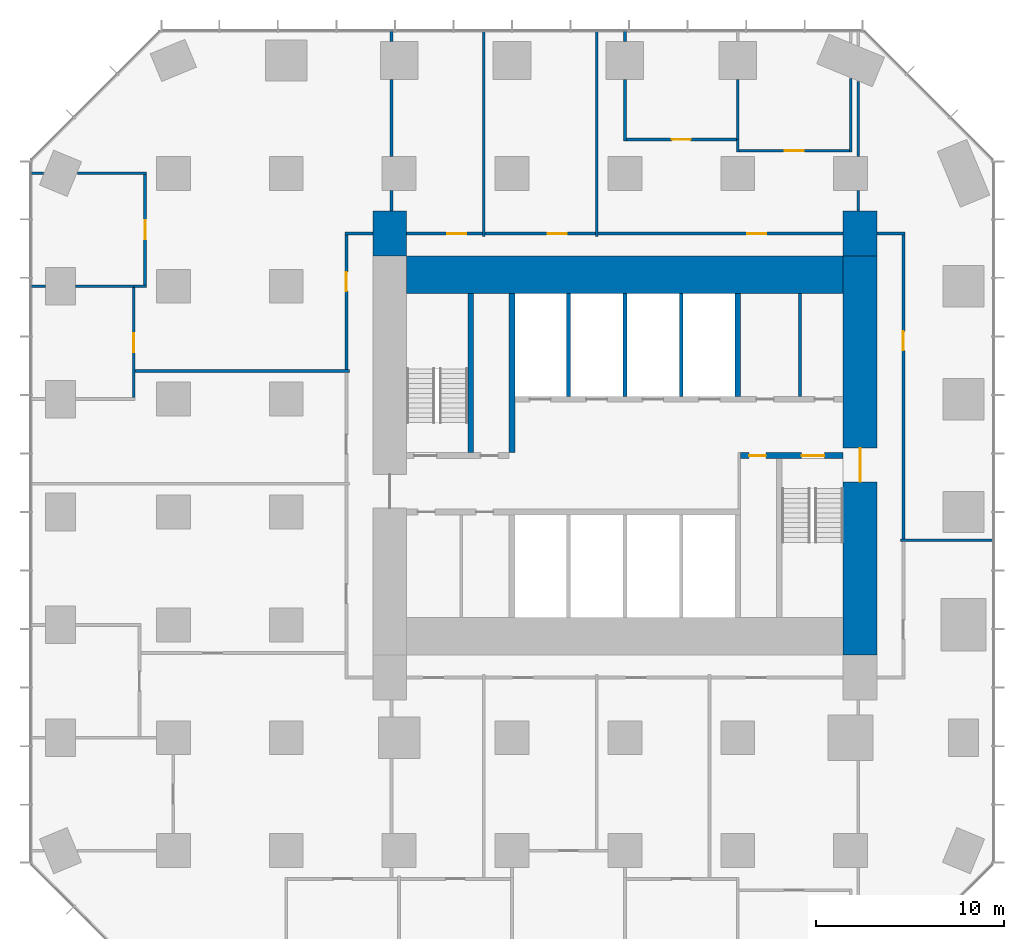
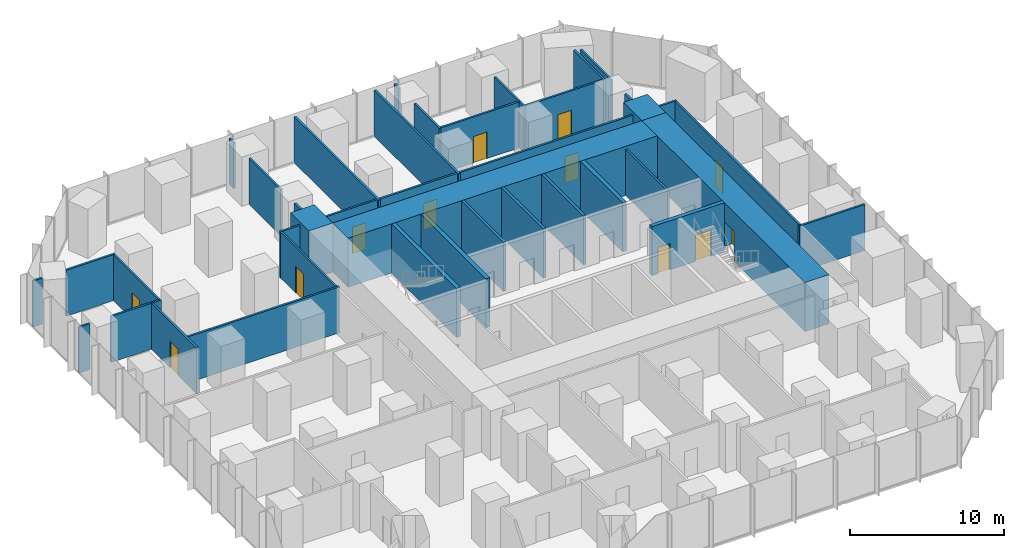
# One storey, part 10 of 12: 42 walls, 12 doors, 12 openings.
"""IFC4 building model written with IfcOpenShell, lengths in metres."""

from ifc_helpers import new_model, si_unit, direction, frame, frame_2d, origin, place, context, subcontext, project, spatial, rectangle, extrude, material, layer, layer_set, type_object, element, fill, save


model = new_model("IFC4")

# Units and contexts
model_context = context("Model", 3, precision=1e-05, world=origin(), true_north=direction((0.0, 1.0)))
body_context = subcontext(model_context, "Body", "Model", "MODEL_VIEW")
ifc_project = project(units=[si_unit("LENGTHUNIT", "METRE"), si_unit("AREAUNIT", "SQUARE_METRE"), si_unit("VOLUMEUNIT", "CUBIC_METRE"), si_unit("PLANEANGLEUNIT", "RADIAN"), si_unit("MASSUNIT", "GRAM", prefix="KILO")], contexts=[model_context])

# Site, building, storey
site_placement = place(None, origin())
site = spatial("IfcSite", under=ifc_project, at=site_placement, CompositionType="ELEMENT")
building_placement = place(site_placement, origin())
building = spatial("IfcBuilding", under=site, at=building_placement, Name="Highveld Stack Headquarters", CompositionType="ELEMENT")
storey_placement = place(building_placement, frame((0.0, 0.0, 26.0)))
storey = spatial("IfcBuildingStorey", under=building, at=storey_placement, Name="L05", CompositionType="ELEMENT", Elevation=26.0)

# Wall, opening, door
ifc_material_1 = material(Name="Concrete C60/75", Category="concrete")
ifc_layer_1 = layer(ifc_material_1, 1.800048828125)
ifc_layer_set_1 = layer_set([ifc_layer_1], Name="Concrete C60/75")
wall_type_1 = type_object("IfcWallType", Name="CORE WALL 1800 C60/75", PredefinedType="SHEAR", material=ifc_layer_set_1)
wall_1_placement = place(storey_placement, frame((18.5, -7.60009765625, 0.0), z_axis=(0.0, 0.0, 1.0), x_axis=(0.0, 1.0, 0.0)))
wall_1 = element("IfcWall", 1, at=wall_1_placement, inside=storey, type_object=wall_type_1, Name="Core wall E L05", PredefinedType="SHEAR", context=body_context, shape_type="SweptSolid", body=[
    extrude(rectangle(XDim=21.2001953125, YDim=1.800048828125, at=frame_2d((10.60009765625, 0.0))), origin(), (0.0, 0.0, 1.0), 3.89990234375),
])
opening_1_placement = place(wall_1_placement, frame((9.199951171875, 0.0, 0.0)))
opening_1 = element("IfcOpeningElement", 2, at=opening_1_placement, cuts=wall_1, Name="Opening L05-02", PredefinedType="OPENING", context=body_context, shape_type="SweptSolid", body=[
    extrude(rectangle(XDim=1.800048828125, YDim=2.39990234375, at=frame_2d((0.89990234375, 1.199951171875))), frame((0.0, 0.909912109375, 0.0), z_axis=(0.0, -1.0, 0.0), x_axis=(1.0, 0.0, 0.0)), (0.0, 0.0, 1.0), 1.820068359375),
])
ifc_material_2 = material(Name="Steel fire door", Category="steel")
door_type_1 = type_object("IfcDoorType", Name="LOBBY FIRE DOOR D4 1800x2400", OperationType="DOUBLE_DOOR_SINGLE_SWING", PredefinedType="DOOR", material=ifc_material_2)
door_1_placement = place(opening_1_placement, origin())
door_1 = element("IfcDoor", 3, at=door_1_placement, inside=storey, type_object=door_type_1, Name="Core east door L05", OperationType="DOUBLE_DOOR_SINGLE_SWING", OverallHeight=2.39990234375, OverallWidth=1.800048828125, PredefinedType="DOOR", context=body_context, shape_type="SweptSolid", body=[
    extrude(rectangle(XDim=1.800048828125, YDim=2.39990234375, at=frame_2d((0.89990234375, 1.199951171875))), frame((0.0, 0.02490234375, 0.0), z_axis=(0.0, -1.0, 0.0), x_axis=(1.0, 0.0, 0.0)), (0.0, 0.0, 1.0), 0.050048828125),
])
fill(opening_1, door_1)

# Wall
ifc_material_3 = material(Name="Concrete C60/75", Category="concrete")
ifc_layer_2 = layer(ifc_material_3, 2.0)
ifc_layer_set_2 = layer_set([ifc_layer_2], Name="Concrete C60/75")
wall_type_2 = type_object("IfcWallType", Name="CORE WALL 2000 C60/75", PredefinedType="SHEAR", material=ifc_layer_set_2)
wall_2_placement = place(storey_placement, frame((-5.60009765625, 12.60009765625, 0.0), z_axis=(0.0, 0.0, 1.0), x_axis=(1.0, 0.0, 0.0)))
element("IfcWall", 4, at=wall_2_placement, inside=storey, type_object=wall_type_2, Name="Core wall N L05", PredefinedType="SHEAR", context=body_context, shape_type="SweptSolid", body=[
    extrude(rectangle(XDim=23.2001953125, YDim=2.0, at=frame_2d((11.60009765625, 0.0))), origin(), (0.0, 0.0, 1.0), 3.89990234375),
])

# Wall, openings, doors
ifc_material_4 = material(Name="Concrete C60/75", Category="concrete")
ifc_layer_3 = layer(ifc_material_4, 0.300048828125)
ifc_layer_set_3 = layer_set([ifc_layer_3], Name="Concrete C60/75")
wall_type_3 = type_object("IfcWallType", Name="CORE WALL 300 C60/75", PredefinedType="SHEAR", material=ifc_layer_set_3)
wall_3_placement = place(storey_placement, frame((12.14990234375, 3.0, 0.0), z_axis=(0.0, 0.0, 1.0), x_axis=(1.0, 0.0, 0.0)))
wall_3 = element("IfcWall", 5, at=wall_3_placement, inside=storey, type_object=wall_type_3, Name="Core wall I-Y3E L05", PredefinedType="SHEAR", context=body_context, shape_type="SweptSolid", body=[
    extrude(rectangle(XDim=5.4501953125, YDim=0.300048828125, at=frame_2d((2.72509765625, 0.0))), origin(), (0.0, 0.0, 1.0), 3.89990234375),
])
opening_2_placement = place(wall_3_placement, frame((3.25, 0.0, 0.0)))
opening_2 = element("IfcOpeningElement", 6, at=opening_2_placement, cuts=wall_3, Name="Opening L05-05", PredefinedType="OPENING", context=body_context, shape_type="SweptSolid", body=[
    extrude(rectangle(XDim=1.199951171875, YDim=2.10009765625, at=frame_2d((0.60009765625, 1.050048828125))), frame((0.0, 0.159912109375, 0.0), z_axis=(0.0, -1.0, 0.0), x_axis=(1.0, 0.0, 0.0)), (0.0, 0.0, 1.0), 0.320068359375),
])
opening_3_placement = place(wall_3_placement, frame((0.449951171875, 0.0, 0.0)))
opening_3 = element("IfcOpeningElement", 7, at=opening_3_placement, cuts=wall_3, Name="Opening L05-06", PredefinedType="OPENING", context=body_context, shape_type="SweptSolid", body=[
    extrude(rectangle(XDim=0.89990234375, YDim=2.10009765625, at=frame_2d((0.449951171875, 1.050048828125))), frame((0.0, 0.159912109375, 0.0), z_axis=(0.0, -1.0, 0.0), x_axis=(1.0, 0.0, 0.0)), (0.0, 0.0, 1.0), 0.320068359375),
])
ifc_material_5 = material(Name="Steel fire door", Category="steel")
door_type_2 = type_object("IfcDoorType", Name="RISER ACCESS DOOR D5 900x2100", OperationType="SINGLE_SWING_LEFT", PredefinedType="DOOR", material=ifc_material_5)
door_2_placement = place(opening_3_placement, origin())
door_2 = element("IfcDoor", 8, at=door_2_placement, inside=storey, type_object=door_type_2, Name="Riser R2 door L05", OperationType="SINGLE_SWING_LEFT", OverallHeight=2.10009765625, OverallWidth=0.89990234375, PredefinedType="DOOR", context=body_context, shape_type="SweptSolid", body=[
    extrude(rectangle(XDim=0.89990234375, YDim=2.10009765625, at=frame_2d((0.449951171875, 1.050048828125))), frame((0.0, 0.02490234375, 0.0), z_axis=(0.0, -1.0, 0.0), x_axis=(1.0, 0.0, 0.0)), (0.0, 0.0, 1.0), 0.050048828125),
])
fill(opening_3, door_2)
ifc_material_6 = material(Name="Steel fire door", Category="steel")
door_type_3 = type_object("IfcDoorType", Name="STAIR FIRE DOOR D3 1200x2100", OperationType="SINGLE_SWING_LEFT", PredefinedType="DOOR", material=ifc_material_6)
door_3_placement = place(opening_2_placement, origin())
door_3 = element("IfcDoor", 9, at=door_3_placement, inside=storey, type_object=door_type_3, Name="Stair S2 door L05", OperationType="SINGLE_SWING_RIGHT", OverallHeight=2.10009765625, OverallWidth=1.199951171875, PredefinedType="DOOR", context=body_context, shape_type="SweptSolid", body=[
    extrude(rectangle(XDim=1.199951171875, YDim=2.10009765625, at=frame_2d((0.60009765625, 1.050048828125))), frame((0.0, 0.02490234375, 0.0), z_axis=(0.0, -1.0, 0.0), x_axis=(1.0, 0.0, 0.0)), (0.0, 0.0, 1.0), 0.050048828125),
])
fill(opening_2, door_3)

# Walls
wall_4_placement = place(storey_placement, frame((0.0, 3.14990234375, 0.0), z_axis=(0.0, 0.0, 1.0), x_axis=(0.0, 1.0, 0.0)))
element("IfcWall", 10, at=wall_4_placement, inside=storey, type_object=wall_type_3, Name="Core wall I-X0N L05", PredefinedType="SHEAR", context=body_context, shape_type="SweptSolid", body=[
    extrude(rectangle(XDim=8.4501953125, YDim=0.300048828125, at=frame_2d((4.22509765625, 0.0))), origin(), (0.0, 0.0, 1.0), 3.89990234375),
])
wall_5_placement = place(storey_placement, frame((12.0, 6.14990234375, 0.0), z_axis=(0.0, 0.0, 1.0), x_axis=(0.0, 1.0, 0.0)))
element("IfcWall", 11, at=wall_5_placement, inside=storey, type_object=wall_type_3, Name="Core wall I-X12N L05", PredefinedType="SHEAR", context=body_context, shape_type="SweptSolid", body=[
    extrude(rectangle(XDim=5.4501953125, YDim=0.300048828125, at=frame_2d((2.72509765625, 0.0))), origin(), (0.0, 0.0, 1.0), 3.89990234375),
])
wall_6_placement = place(storey_placement, frame((-2.199951171875, 3.14990234375, 0.0), z_axis=(0.0, 0.0, 1.0), x_axis=(0.0, 1.0, 0.0)))
element("IfcWall", 12, at=wall_6_placement, inside=storey, type_object=wall_type_3, Name="Core wall I-RW L05", PredefinedType="SHEAR", context=body_context, shape_type="SweptSolid", body=[
    extrude(rectangle(XDim=8.4501953125, YDim=0.300048828125, at=frame_2d((4.22509765625, 0.0))), origin(), (0.0, 0.0, 1.0), 3.89990234375),
])
ifc_material_7 = material(Name="Concrete C60/75", Category="concrete")
ifc_layer_4 = layer(ifc_material_7, 1.800048828125)
ifc_layer_set_4 = layer_set([ifc_layer_4], Name="Concrete C60/75")
wall_type_4 = type_object("IfcWallType", Name="CORE WING WALL 1800 C60/75", PredefinedType="SHEAR", material=ifc_layer_set_4)
for number, where, z_axis, x_axis, name in (
    (13, (-6.5, 13.60009765625, 0.0), (0.0, 0.0, 1.0), (0.0, 1.0, 0.0), "Core wing wall WN L05"),
    (14, (18.5, 13.60009765625, 0.0), (0.0, 0.0, 1.0), (0.0, 1.0, 0.0), "Core wing wall EN L05"),
):
    element("IfcWall", number, at=place(storey_placement, frame(where, z_axis=z_axis, x_axis=x_axis)), inside=storey, type_object=wall_type_4, Name=name, PredefinedType="SHEAR", context=body_context, shape_type="SweptSolid", body=[
        extrude(rectangle(XDim=2.39990234375, YDim=1.800048828125, at=frame_2d((1.199951171875, 0.0))), origin(), (0.0, 0.0, 1.0), 3.89990234375),
    ])
ifc_material_8 = material(Name="Concrete blockwork, fair-faced", Category="masonry")
ifc_layer_5 = layer(ifc_material_8, 0.199951171875)
ifc_layer_set_5 = layer_set([ifc_layer_5], Name="Concrete blockwork, fair-faced")
wall_type_5 = type_object("IfcWallType", Name="LIFT SHAFT ENCLOSURE WALL 200 BLOCKWORK", PredefinedType="SOLIDWALL", material=ifc_layer_set_5)
for number, where, z_axis, x_axis, name in (
    (15, (3.0, 6.14990234375, 0.0), (0.0, 0.0, 1.0), (0.0, 1.0, 0.0), "Lift shaft wall L05"),
    (16, (6.0, 6.14990234375, 0.0), (0.0, 0.0, 1.0), (0.0, 1.0, 0.0), "Lift shaft wall L05"),
    (17, (9.0, 6.14990234375, 0.0), (0.0, 0.0, 1.0), (0.0, 1.0, 0.0), "Lift shaft wall L05"),
):
    element("IfcWall", number, at=place(storey_placement, frame(where, z_axis=z_axis, x_axis=x_axis)), inside=storey, type_object=wall_type_5, Name=name, PredefinedType="SOLIDWALL", context=body_context, shape_type="SweptSolid", body=[
        extrude(rectangle(XDim=5.4501953125, YDim=0.199951171875, at=frame_2d((2.72509765625, 0.0))), origin(), (0.0, 0.0, 1.0), 3.89990234375),
    ])
ifc_material_9 = material(Name="Gypsum plasterboard on steel studs", Category="steel")
ifc_layer_6 = layer(ifc_material_9, 0.14990234375)
ifc_layer_set_6 = layer_set([ifc_layer_6], Name="Gypsum plasterboard on steel studs")
wall_type_6 = type_object("IfcWallType", Name="PARTITION 150 PLASTERBOARD", PredefinedType="PARTITIONING", material=ifc_layer_set_6)
wall_7_placement = place(storey_placement, frame((-25.60009765625, 12.0, 0.0), z_axis=(0.0, 0.0, 1.0), x_axis=(1.0, 0.0, 0.0)))
element("IfcWall", 18, at=wall_7_placement, inside=storey, type_object=wall_type_6, Name="Partition Focus room / Quiet room L05", PredefinedType="PARTITIONING", context=body_context, shape_type="SweptSolid", body=[
    extrude(rectangle(XDim=0.800048828125, YDim=0.14990234375, at=frame_2d((0.39990234375, 0.0))), origin(), (0.0, 0.0, 1.0), 3.64990234375),
])
wall_8_placement = place(storey_placement, frame((-23.199951171875, 12.0, 0.0), z_axis=(0.0, 0.0, 1.0), x_axis=(1.0, 0.0, 0.0)))
element("IfcWall", 19, at=wall_8_placement, inside=storey, type_object=wall_type_6, Name="Partition Focus room / Quiet room L05", PredefinedType="PARTITIONING", context=body_context, shape_type="SweptSolid", body=[
    extrude(rectangle(XDim=3.175048828125, YDim=0.14990234375, at=frame_2d((1.58740234375, 0.0))), origin(), (0.0, 0.0, 1.0), 3.64990234375),
])
wall_9_placement = place(storey_placement, frame((-20.10009765625, 12.0, 0.0), z_axis=(0.0, 0.0, 1.0), x_axis=(1.0, 0.0, 0.0)))
element("IfcWall", 20, at=wall_9_placement, inside=storey, type_object=wall_type_6, Name="Partition Quiet room L05", PredefinedType="PARTITIONING", context=body_context, shape_type="SweptSolid", body=[
    extrude(rectangle(XDim=0.675048828125, YDim=0.14990234375, at=frame_2d((0.33740234375, 0.0))), origin(), (0.0, 0.0, 1.0), 3.64990234375),
])
wall_10_placement = place(storey_placement, frame((-25.60009765625, 18.0, 0.0), z_axis=(0.0, 0.0, 1.0), x_axis=(1.0, 0.0, 0.0)))
element("IfcWall", 21, at=wall_10_placement, inside=storey, type_object=wall_type_6, Name="Partition Quiet room L05", PredefinedType="PARTITIONING", context=body_context, shape_type="SweptSolid", body=[
    extrude(rectangle(XDim=0.703125, YDim=0.14990234375, at=frame_2d((0.3515625, 0.0))), origin(), (0.0, 0.0, 1.0), 3.64990234375),
])
wall_11_placement = place(storey_placement, frame((-23.10302734375, 18.0, 0.0), z_axis=(0.0, 0.0, 1.0), x_axis=(1.0, 0.0, 0.0)))
element("IfcWall", 22, at=wall_11_placement, inside=storey, type_object=wall_type_6, Name="Partition Quiet room L05", PredefinedType="PARTITIONING", context=body_context, shape_type="SweptSolid", body=[
    extrude(rectangle(XDim=3.677978515625, YDim=0.14990234375, at=frame_2d((1.8388671875, 0.0))), origin(), (0.0, 0.0, 1.0), 3.64990234375),
])

# Wall, opening, door
wall_12_placement = place(storey_placement, frame((12.074951171875, 19.199951171875, 0.0), z_axis=(0.0, 0.0, 1.0), x_axis=(1.0, 0.0, 0.0)))
wall_12 = element("IfcWall", 23, at=wall_12_placement, inside=storey, type_object=wall_type_6, Name="Partition Tea kitchen L05", PredefinedType="PARTITIONING", context=body_context, shape_type="SweptSolid", body=[
    extrude(rectangle(XDim=5.85009765625, YDim=0.14990234375, at=frame_2d((2.925048828125, 0.0))), origin(), (0.0, 0.0, 1.0), 3.64990234375),
])
opening_4_placement = place(wall_12_placement, frame((2.425048828125, 0.0, 0.0)))
opening_4 = element("IfcOpeningElement", 24, at=opening_4_placement, cuts=wall_12, Name="Opening L05-21", PredefinedType="OPENING", context=body_context, shape_type="SweptSolid", body=[
    extrude(rectangle(XDim=1.0, YDim=2.10009765625, at=frame_2d((0.5, 1.050048828125))), frame((0.0, 0.0849609375, 0.0), z_axis=(0.0, -1.0, 0.0), x_axis=(1.0, 0.0, 0.0)), (0.0, 0.0, 1.0), 0.169921875),
])
ifc_material_10 = material(Name="Timber door, oiled ash", Category="wood")
door_type_4 = type_object("IfcDoorType", Name="ROOM DOOR D6 1000x2100", OperationType="SINGLE_SWING_LEFT", PredefinedType="DOOR", material=ifc_material_10)
door_4_placement = place(opening_4_placement, origin())
door_4 = element("IfcDoor", 25, at=door_4_placement, inside=storey, type_object=door_type_4, Name="Tea kitchen door 1 L05", OperationType="SINGLE_SWING_LEFT", OverallHeight=2.10009765625, OverallWidth=1.0, PredefinedType="DOOR", context=body_context, shape_type="SweptSolid", body=[
    extrude(rectangle(XDim=1.0, YDim=2.10009765625, at=frame_2d((0.5, 1.050048828125))), frame((0.0, 0.02490234375, 0.0), z_axis=(0.0, -1.0, 0.0), x_axis=(1.0, 0.0, 0.0)), (0.0, 0.0, 1.0), 0.050048828125),
])
fill(opening_4, door_4)

wall_13_placement = place(storey_placement, frame((6.074951171875, 19.800048828125, 0.0), z_axis=(0.0, 0.0, 1.0), x_axis=(1.0, 0.0, 0.0)))
wall_13 = element("IfcWall", 26, at=wall_13_placement, inside=storey, type_object=wall_type_6, Name="Partition Print room L05", PredefinedType="PARTITIONING", context=body_context, shape_type="SweptSolid", body=[
    extrude(rectangle(XDim=5.85009765625, YDim=0.14990234375, at=frame_2d((2.925048828125, 0.0))), origin(), (0.0, 0.0, 1.0), 3.64990234375),
])
opening_5_placement = place(wall_13_placement, frame((2.425048828125, 0.0, 0.0)))
opening_5 = element("IfcOpeningElement", 27, at=opening_5_placement, cuts=wall_13, Name="Opening L05-20", PredefinedType="OPENING", context=body_context, shape_type="SweptSolid", body=[
    extrude(rectangle(XDim=1.0, YDim=2.10009765625, at=frame_2d((0.5, 1.050048828125))), frame((0.0, 0.0849609375, 0.0), z_axis=(0.0, -1.0, 0.0), x_axis=(1.0, 0.0, 0.0)), (0.0, 0.0, 1.0), 0.169921875),
])
door_5_placement = place(opening_5_placement, origin())
door_5 = element("IfcDoor", 28, at=door_5_placement, inside=storey, type_object=door_type_4, Name="Print room door 1 L05", OperationType="SINGLE_SWING_LEFT", OverallHeight=2.10009765625, OverallWidth=1.0, PredefinedType="DOOR", context=body_context, shape_type="SweptSolid", body=[
    extrude(rectangle(XDim=1.0, YDim=2.10009765625, at=frame_2d((0.5, 1.050048828125))), frame((0.0, 0.02490234375, 0.0), z_axis=(0.0, -1.0, 0.0), x_axis=(1.0, 0.0, 0.0)), (0.0, 0.0, 1.0), 0.050048828125),
])
fill(opening_5, door_5)

wall_14_placement = place(storey_placement, frame((-20.10009765625, 6.074951171875, 0.0), z_axis=(0.0, 0.0, 1.0), x_axis=(0.0, 1.0, 0.0)))
wall_14 = element("IfcWall", 29, at=wall_14_placement, inside=storey, type_object=wall_type_6, Name="Partition Focus room L05", PredefinedType="PARTITIONING", context=body_context, shape_type="SweptSolid", body=[
    extrude(rectangle(XDim=5.85009765625, YDim=0.14990234375, at=frame_2d((2.925048828125, 0.0))), origin(), (0.0, 0.0, 1.0), 3.64990234375),
])
opening_6_placement = place(wall_14_placement, frame((2.425048828125, 0.0, 0.0)))
opening_6 = element("IfcOpeningElement", 30, at=opening_6_placement, cuts=wall_14, Name="Opening L05-18", PredefinedType="OPENING", context=body_context, shape_type="SweptSolid", body=[
    extrude(rectangle(XDim=1.0, YDim=2.10009765625, at=frame_2d((0.5, 1.050048828125))), frame((0.0, 0.0849609375, 0.0), z_axis=(0.0, -1.0, 0.0), x_axis=(1.0, 0.0, 0.0)), (0.0, 0.0, 1.0), 0.169921875),
])
door_6_placement = place(opening_6_placement, origin())
door_6 = element("IfcDoor", 31, at=door_6_placement, inside=storey, type_object=door_type_4, Name="Focus room door 1 L05", OperationType="SINGLE_SWING_LEFT", OverallHeight=2.10009765625, OverallWidth=1.0, PredefinedType="DOOR", context=body_context, shape_type="SweptSolid", body=[
    extrude(rectangle(XDim=1.0, YDim=2.10009765625, at=frame_2d((0.5, 1.050048828125))), frame((0.0, 0.02490234375, 0.0), z_axis=(0.0, -1.0, 0.0), x_axis=(1.0, 0.0, 0.0)), (0.0, 0.0, 1.0), 0.050048828125),
])
fill(opening_6, door_6)

wall_15_placement = place(storey_placement, frame((-19.5, 12.074951171875, 0.0), z_axis=(0.0, 0.0, 1.0), x_axis=(0.0, 1.0, 0.0)))
wall_15 = element("IfcWall", 32, at=wall_15_placement, inside=storey, type_object=wall_type_6, Name="Partition Quiet room L05", PredefinedType="PARTITIONING", context=body_context, shape_type="SweptSolid", body=[
    extrude(rectangle(XDim=5.85009765625, YDim=0.14990234375, at=frame_2d((2.925048828125, 0.0))), origin(), (0.0, 0.0, 1.0), 3.64990234375),
])
opening_7_placement = place(wall_15_placement, frame((2.425048828125, 0.0, 0.0)))
opening_7 = element("IfcOpeningElement", 33, at=opening_7_placement, cuts=wall_15, Name="Opening L05-19", PredefinedType="OPENING", context=body_context, shape_type="SweptSolid", body=[
    extrude(rectangle(XDim=1.0, YDim=2.10009765625, at=frame_2d((0.5, 1.050048828125))), frame((0.0, 0.0849609375, 0.0), z_axis=(0.0, -1.0, 0.0), x_axis=(1.0, 0.0, 0.0)), (0.0, 0.0, 1.0), 0.169921875),
])
door_7_placement = place(opening_7_placement, origin())
door_7 = element("IfcDoor", 34, at=door_7_placement, inside=storey, type_object=door_type_4, Name="Quiet room door 1 L05", OperationType="SINGLE_SWING_LEFT", OverallHeight=2.10009765625, OverallWidth=1.0, PredefinedType="DOOR", context=body_context, shape_type="SweptSolid", body=[
    extrude(rectangle(XDim=1.0, YDim=2.10009765625, at=frame_2d((0.5, 1.050048828125))), frame((0.0, 0.02490234375, 0.0), z_axis=(0.0, -1.0, 0.0), x_axis=(1.0, 0.0, 0.0)), (0.0, 0.0, 1.0), 0.050048828125),
])
fill(opening_7, door_7)

# Walls
wall_16_placement = place(storey_placement, frame((6.0, 19.72509765625, 0.0), z_axis=(0.0, 0.0, 1.0), x_axis=(0.0, 1.0, 0.0)))
element("IfcWall", 35, at=wall_16_placement, inside=storey, type_object=wall_type_6, Name="Partition Print room L05", PredefinedType="PARTITIONING", context=body_context, shape_type="SweptSolid", body=[
    extrude(rectangle(XDim=3.27490234375, YDim=0.14990234375, at=frame_2d((1.637451171875, 0.0))), origin(), (0.0, 0.0, 1.0), 3.64990234375),
])
wall_17_placement = place(storey_placement, frame((6.0, 25.0, 0.0), z_axis=(0.0, 0.0, 1.0), x_axis=(0.0, 1.0, 0.0)))
element("IfcWall", 36, at=wall_17_placement, inside=storey, type_object=wall_type_6, Name="Partition Print room L05", PredefinedType="PARTITIONING", context=body_context, shape_type="SweptSolid", body=[
    extrude(rectangle(XDim=0.60009765625, YDim=0.14990234375, at=frame_2d((0.300048828125, 0.0))), origin(), (0.0, 0.0, 1.0), 3.64990234375),
])
wall_18_placement = place(storey_placement, frame((12.0, 19.125, 0.0), z_axis=(0.0, 0.0, 1.0), x_axis=(0.0, 1.0, 0.0)))
element("IfcWall", 37, at=wall_18_placement, inside=storey, type_object=wall_type_6, Name="Partition Tea kitchen L05", PredefinedType="PARTITIONING", context=body_context, shape_type="SweptSolid", body=[
    extrude(rectangle(XDim=0.675048828125, YDim=0.14990234375, at=frame_2d((0.33740234375, 0.0))), origin(), (0.0, 0.0, 1.0), 3.64990234375),
])
wall_19_placement = place(storey_placement, frame((12.0, 19.800048828125, 0.0), z_axis=(0.0, 0.0, 1.0), x_axis=(0.0, 1.0, 0.0)))
element("IfcWall", 38, at=wall_19_placement, inside=storey, type_object=wall_type_6, Name="Partition Print room / Tea kitchen L05", PredefinedType="PARTITIONING", context=body_context, shape_type="SweptSolid", body=[
    extrude(rectangle(XDim=3.199951171875, YDim=0.14990234375, at=frame_2d((1.60009765625, 0.0))), origin(), (0.0, 0.0, 1.0), 3.64990234375),
])
wall_20_placement = place(storey_placement, frame((18.0, 19.125, 0.0), z_axis=(0.0, 0.0, 1.0), x_axis=(0.0, 1.0, 0.0)))
element("IfcWall", 39, at=wall_20_placement, inside=storey, type_object=wall_type_6, Name="Partition Tea kitchen L05", PredefinedType="PARTITIONING", context=body_context, shape_type="SweptSolid", body=[
    extrude(rectangle(XDim=3.923828125, YDim=0.14990234375, at=frame_2d((1.9619140625, 0.0))), origin(), (0.0, 0.0, 1.0), 3.64990234375),
])
wall_21_placement = place(storey_placement, frame((-20.02490234375, 7.5, 0.0), z_axis=(0.0, 0.0, 1.0), x_axis=(1.0, 0.0, 0.0)))
element("IfcWall", 40, at=wall_21_placement, inside=storey, type_object=wall_type_6, Name="Partition office neighbourhood L05", PredefinedType="PARTITIONING", context=body_context, shape_type="SweptSolid", body=[
    extrude(rectangle(XDim=11.375, YDim=0.14990234375, at=frame_2d((5.6875, 0.0))), origin(), (0.0, 0.0, 1.0), 3.64990234375),
])

# Wall, opening, door
wall_22_placement = place(storey_placement, frame((-8.800048828125, 7.574951171875, 0.0), z_axis=(0.0, 0.0, 1.0), x_axis=(0.0, 1.0, 0.0)))
wall_22 = element("IfcWall", 41, at=wall_22_placement, inside=storey, type_object=wall_type_6, Name="Partition office neighbourhood L05", PredefinedType="PARTITIONING", context=body_context, shape_type="SweptSolid", body=[
    extrude(rectangle(XDim=7.150146484375, YDim=0.14990234375, at=frame_2d((3.5751953125, 0.0))), origin(), (0.0, 0.0, 1.0), 3.64990234375),
])
opening_8_placement = place(wall_22_placement, frame((4.169921875, 0.0, 0.0)))
opening_8 = element("IfcOpeningElement", 42, at=opening_8_placement, cuts=wall_22, Name="Opening L05-31", PredefinedType="OPENING", context=body_context, shape_type="SweptSolid", body=[
    extrude(rectangle(XDim=1.0, YDim=2.10009765625, at=frame_2d((0.5, 1.050048828125))), frame((0.0, 0.0849609375, 0.0), z_axis=(0.0, -1.0, 0.0), x_axis=(1.0, 0.0, 0.0)), (0.0, 0.0, 1.0), 0.169921875),
])
door_8_placement = place(opening_8_placement, origin())
door_8 = element("IfcDoor", 43, at=door_8_placement, inside=storey, type_object=door_type_4, Name="Office neighbourhood door L05", OperationType="SINGLE_SWING_RIGHT", OverallHeight=2.10009765625, OverallWidth=1.0, PredefinedType="DOOR", context=body_context, shape_type="SweptSolid", body=[
    extrude(rectangle(XDim=1.0, YDim=2.10009765625, at=frame_2d((0.5, 1.050048828125))), frame((0.0, 0.02490234375, 0.0), z_axis=(0.0, -1.0, 0.0), x_axis=(1.0, 0.0, 0.0)), (0.0, 0.0, 1.0), 0.050048828125),
])
fill(opening_8, door_8)

# Walls
wall_23_placement = place(storey_placement, frame((-8.875, 14.800048828125, 0.0), z_axis=(0.0, 0.0, 1.0), x_axis=(1.0, 0.0, 0.0)))
element("IfcWall", 44, at=wall_23_placement, inside=storey, type_object=wall_type_6, Name="Partition office neighbourhood L05", PredefinedType="PARTITIONING", context=body_context, shape_type="SweptSolid", body=[
    extrude(rectangle(XDim=1.47509765625, YDim=0.14990234375, at=frame_2d((0.737548828125, 0.0))), origin(), (0.0, 0.0, 1.0), 3.64990234375),
])
wall_24_placement = place(storey_placement, frame((-6.39990234375, 16.0, 0.0), z_axis=(0.0, 0.0, 1.0), x_axis=(0.0, 1.0, 0.0)))
element("IfcWall", 45, at=wall_24_placement, inside=storey, type_object=wall_type_6, Name="Partition office neighbourhood L05", PredefinedType="PARTITIONING", context=body_context, shape_type="SweptSolid", body=[
    extrude(rectangle(XDim=1.10009765625, YDim=0.14990234375, at=frame_2d((0.550048828125, 0.0))), origin(), (0.0, 0.0, 1.0), 3.64990234375),
])
wall_25_placement = place(storey_placement, frame((-6.39990234375, 18.89990234375, 0.0), z_axis=(0.0, 0.0, 1.0), x_axis=(0.0, 1.0, 0.0)))
element("IfcWall", 46, at=wall_25_placement, inside=storey, type_object=wall_type_6, Name="Partition office neighbourhood L05", PredefinedType="PARTITIONING", context=body_context, shape_type="SweptSolid", body=[
    extrude(rectangle(XDim=4.10009765625, YDim=0.14990234375, at=frame_2d((2.050048828125, 0.0))), origin(), (0.0, 0.0, 1.0), 3.64990234375),
])
wall_26_placement = place(storey_placement, frame((-6.39990234375, 25.0, 0.0), z_axis=(0.0, 0.0, 1.0), x_axis=(0.0, 1.0, 0.0)))
element("IfcWall", 47, at=wall_26_placement, inside=storey, type_object=wall_type_6, Name="Partition office neighbourhood L05", PredefinedType="PARTITIONING", context=body_context, shape_type="SweptSolid", body=[
    extrude(rectangle(XDim=0.60009765625, YDim=0.14990234375, at=frame_2d((0.300048828125, 0.0))), origin(), (0.0, 0.0, 1.0), 3.64990234375),
])

# Wall, opening, door
wall_27_placement = place(storey_placement, frame((-5.60009765625, 14.800048828125, 0.0), z_axis=(0.0, 0.0, 1.0), x_axis=(1.0, 0.0, 0.0)))
wall_27 = element("IfcWall", 48, at=wall_27_placement, inside=storey, type_object=wall_type_6, Name="Partition office neighbourhood L05", PredefinedType="PARTITIONING", context=body_context, shape_type="SweptSolid", body=[
    extrude(rectangle(XDim=4.025146484375, YDim=0.14990234375, at=frame_2d((2.0126953125, 0.0))), origin(), (0.0, 0.0, 1.0), 3.64990234375),
])
opening_9_placement = place(wall_27_placement, frame((2.1650390625, 0.0, 0.0)))
opening_9 = element("IfcOpeningElement", 49, at=opening_9_placement, cuts=wall_27, Name="Opening L05-34", PredefinedType="OPENING", context=body_context, shape_type="SweptSolid", body=[
    extrude(rectangle(XDim=1.0, YDim=2.10009765625, at=frame_2d((0.5, 1.050048828125))), frame((0.0, 0.0849609375, 0.0), z_axis=(0.0, -1.0, 0.0), x_axis=(1.0, 0.0, 0.0)), (0.0, 0.0, 1.0), 0.169921875),
])
door_9_placement = place(opening_9_placement, origin())
door_9 = element("IfcDoor", 50, at=door_9_placement, inside=storey, type_object=door_type_4, Name="Office neighbourhood door L05", OperationType="SINGLE_SWING_RIGHT", OverallHeight=2.10009765625, OverallWidth=1.0, PredefinedType="DOOR", context=body_context, shape_type="SweptSolid", body=[
    extrude(rectangle(XDim=1.0, YDim=2.10009765625, at=frame_2d((0.5, 1.050048828125))), frame((0.0, 0.02490234375, 0.0), z_axis=(0.0, -1.0, 0.0), x_axis=(1.0, 0.0, 0.0)), (0.0, 0.0, 1.0), 0.050048828125),
])
fill(opening_9, door_9)

# Wall
wall_28_placement = place(storey_placement, frame((-1.5, 14.64990234375, 0.0), z_axis=(0.0, 0.0, 1.0), x_axis=(0.0, 1.0, 0.0)))
element("IfcWall", 51, at=wall_28_placement, inside=storey, type_object=wall_type_6, Name="Partition office neighbourhood L05", PredefinedType="PARTITIONING", context=body_context, shape_type="SweptSolid", body=[
    extrude(rectangle(XDim=10.9501953125, YDim=0.14990234375, at=frame_2d((5.47509765625, 0.0))), origin(), (0.0, 0.0, 1.0), 3.64990234375),
])

# Wall, opening, door
wall_29_placement = place(storey_placement, frame((-1.425048828125, 14.800048828125, 0.0), z_axis=(0.0, 0.0, 1.0), x_axis=(1.0, 0.0, 0.0)))
wall_29 = element("IfcWall", 52, at=wall_29_placement, inside=storey, type_object=wall_type_6, Name="Partition office neighbourhood L05", PredefinedType="PARTITIONING", context=body_context, shape_type="SweptSolid", body=[
    extrude(rectangle(XDim=5.85009765625, YDim=0.14990234375, at=frame_2d((2.925048828125, 0.0))), origin(), (0.0, 0.0, 1.0), 3.64990234375),
])
opening_10_placement = place(wall_29_placement, frame((3.324951171875, 0.0, 0.0)))
opening_10 = element("IfcOpeningElement", 53, at=opening_10_placement, cuts=wall_29, Name="Opening L05-33", PredefinedType="OPENING", context=body_context, shape_type="SweptSolid", body=[
    extrude(rectangle(XDim=1.0, YDim=2.10009765625, at=frame_2d((0.5, 1.050048828125))), frame((0.0, 0.0849609375, 0.0), z_axis=(0.0, -1.0, 0.0), x_axis=(1.0, 0.0, 0.0)), (0.0, 0.0, 1.0), 0.169921875),
])
door_10_placement = place(opening_10_placement, origin())
door_10 = element("IfcDoor", 54, at=door_10_placement, inside=storey, type_object=door_type_4, Name="Office neighbourhood door L05", OperationType="SINGLE_SWING_RIGHT", OverallHeight=2.10009765625, OverallWidth=1.0, PredefinedType="DOOR", context=body_context, shape_type="SweptSolid", body=[
    extrude(rectangle(XDim=1.0, YDim=2.10009765625, at=frame_2d((0.5, 1.050048828125))), frame((0.0, 0.02490234375, 0.0), z_axis=(0.0, -1.0, 0.0), x_axis=(1.0, 0.0, 0.0)), (0.0, 0.0, 1.0), 0.050048828125),
])
fill(opening_10, door_10)

# Wall
wall_30_placement = place(storey_placement, frame((4.5, 14.64990234375, 0.0), z_axis=(0.0, 0.0, 1.0), x_axis=(0.0, 1.0, 0.0)))
element("IfcWall", 55, at=wall_30_placement, inside=storey, type_object=wall_type_6, Name="Partition office neighbourhood L05", PredefinedType="PARTITIONING", context=body_context, shape_type="SweptSolid", body=[
    extrude(rectangle(XDim=10.9501953125, YDim=0.14990234375, at=frame_2d((5.47509765625, 0.0))), origin(), (0.0, 0.0, 1.0), 3.64990234375),
])

# Wall, opening, door
wall_31_placement = place(storey_placement, frame((4.574951171875, 14.800048828125, 0.0), z_axis=(0.0, 0.0, 1.0), x_axis=(1.0, 0.0, 0.0)))
wall_31 = element("IfcWall", 56, at=wall_31_placement, inside=storey, type_object=wall_type_6, Name="Partition office neighbourhood L05", PredefinedType="PARTITIONING", context=body_context, shape_type="SweptSolid", body=[
    extrude(rectangle(XDim=13.025146484375, YDim=0.14990234375, at=frame_2d((6.5126953125, 0.0))), origin(), (0.0, 0.0, 1.0), 3.64990234375),
])
opening_11_placement = place(wall_31_placement, frame((7.93994140625, 0.0, 0.0)))
opening_11 = element("IfcOpeningElement", 57, at=opening_11_placement, cuts=wall_31, Name="Opening L05-32", PredefinedType="OPENING", context=body_context, shape_type="SweptSolid", body=[
    extrude(rectangle(XDim=1.0, YDim=2.10009765625, at=frame_2d((0.5, 1.050048828125))), frame((0.0, 0.0849609375, 0.0), z_axis=(0.0, -1.0, 0.0), x_axis=(1.0, 0.0, 0.0)), (0.0, 0.0, 1.0), 0.169921875),
])
door_11_placement = place(opening_11_placement, origin())
door_11 = element("IfcDoor", 58, at=door_11_placement, inside=storey, type_object=door_type_4, Name="Office neighbourhood door L05", OperationType="SINGLE_SWING_RIGHT", OverallHeight=2.10009765625, OverallWidth=1.0, PredefinedType="DOOR", context=body_context, shape_type="SweptSolid", body=[
    extrude(rectangle(XDim=1.0, YDim=2.10009765625, at=frame_2d((0.5, 1.050048828125))), frame((0.0, 0.02490234375, 0.0), z_axis=(0.0, -1.0, 0.0), x_axis=(1.0, 0.0, 0.0)), (0.0, 0.0, 1.0), 0.050048828125),
])
fill(opening_11, door_11)

# Walls
wall_32_placement = place(storey_placement, frame((18.39990234375, 16.0, 0.0), z_axis=(0.0, 0.0, 1.0), x_axis=(0.0, 1.0, 0.0)))
element("IfcWall", 59, at=wall_32_placement, inside=storey, type_object=wall_type_6, Name="Partition office neighbourhood L05", PredefinedType="PARTITIONING", context=body_context, shape_type="SweptSolid", body=[
    extrude(rectangle(XDim=1.10009765625, YDim=0.14990234375, at=frame_2d((0.550048828125, 0.0))), origin(), (0.0, 0.0, 1.0), 3.64990234375),
])
wall_33_placement = place(storey_placement, frame((18.39990234375, 18.89990234375, 0.0), z_axis=(0.0, 0.0, 1.0), x_axis=(0.0, 1.0, 0.0)))
element("IfcWall", 60, at=wall_33_placement, inside=storey, type_object=wall_type_6, Name="Partition office neighbourhood L05", PredefinedType="PARTITIONING", context=body_context, shape_type="SweptSolid", body=[
    extrude(rectangle(XDim=3.9833984375, YDim=0.14990234375, at=frame_2d((1.99169921875, 0.0))), origin(), (0.0, 0.0, 1.0), 3.64990234375),
])
wall_34_placement = place(storey_placement, frame((19.39990234375, 14.800048828125, 0.0), z_axis=(0.0, 0.0, 1.0), x_axis=(1.0, 0.0, 0.0)))
element("IfcWall", 61, at=wall_34_placement, inside=storey, type_object=wall_type_6, Name="Partition office neighbourhood L05", PredefinedType="PARTITIONING", context=body_context, shape_type="SweptSolid", body=[
    extrude(rectangle(XDim=1.47509765625, YDim=0.14990234375, at=frame_2d((0.737548828125, 0.0))), origin(), (0.0, 0.0, 1.0), 3.64990234375),
])

# Wall, opening, door
wall_35_placement = place(storey_placement, frame((20.800048828125, -1.425048828125, 0.0), z_axis=(0.0, 0.0, 1.0), x_axis=(0.0, 1.0, 0.0)))
wall_35 = element("IfcWall", 62, at=wall_35_placement, inside=storey, type_object=wall_type_6, Name="Partition office neighbourhood L05", PredefinedType="PARTITIONING", context=body_context, shape_type="SweptSolid", body=[
    extrude(rectangle(XDim=16.150146484375, YDim=0.14990234375, at=frame_2d((8.0751953125, 0.0))), origin(), (0.0, 0.0, 1.0), 3.64990234375),
])
opening_12_placement = place(wall_35_placement, frame((10.02001953125, 0.0, 0.0)))
opening_12 = element("IfcOpeningElement", 63, at=opening_12_placement, cuts=wall_35, Name="Opening L05-30", PredefinedType="OPENING", context=body_context, shape_type="SweptSolid", body=[
    extrude(rectangle(XDim=1.0, YDim=2.10009765625, at=frame_2d((0.5, 1.050048828125))), frame((0.0, 0.0849609375, 0.0), z_axis=(0.0, -1.0, 0.0), x_axis=(1.0, 0.0, 0.0)), (0.0, 0.0, 1.0), 0.169921875),
])
door_12_placement = place(opening_12_placement, origin())
door_12 = element("IfcDoor", 64, at=door_12_placement, inside=storey, type_object=door_type_4, Name="Office neighbourhood door L05", OperationType="SINGLE_SWING_RIGHT", OverallHeight=2.10009765625, OverallWidth=1.0, PredefinedType="DOOR", context=body_context, shape_type="SweptSolid", body=[
    extrude(rectangle(XDim=1.0, YDim=2.10009765625, at=frame_2d((0.5, 1.050048828125))), frame((0.0, 0.02490234375, 0.0), z_axis=(0.0, -1.0, 0.0), x_axis=(1.0, 0.0, 0.0)), (0.0, 0.0, 1.0), 0.050048828125),
])
fill(opening_12, door_12)

# Walls
wall_36_placement = place(storey_placement, frame((20.64990234375, -1.5, 0.0), z_axis=(0.0, 0.0, 1.0), x_axis=(1.0, 0.0, 0.0)))
element("IfcWall", 65, at=wall_36_placement, inside=storey, type_object=wall_type_6, Name="Partition office neighbourhood L05", PredefinedType="PARTITIONING", context=body_context, shape_type="SweptSolid", body=[
    extrude(rectangle(XDim=4.9501953125, YDim=0.14990234375, at=frame_2d((2.47509765625, 0.0))), origin(), (0.0, 0.0, 1.0), 3.64990234375),
])
ifc_material_11 = material(Name="Concrete blockwork, tiled", Category="masonry")
ifc_layer_7 = layer(ifc_material_11, 0.14990234375)
ifc_layer_set_7 = layer_set([ifc_layer_7], Name="Concrete blockwork, tiled")
wall_type_7 = type_object("IfcWallType", Name="WC PARTITION 150", PredefinedType="PLUMBINGWALL", material=ifc_layer_set_7)
wall_37_placement = place(storey_placement, frame((15.300048828125, 6.14990234375, 0.0), z_axis=(0.0, 0.0, 1.0), x_axis=(0.0, 1.0, 0.0)))
element("IfcWall", 66, at=wall_37_placement, inside=storey, type_object=wall_type_7, Name="Toilet partition L05", PredefinedType="PLUMBINGWALL", context=body_context, shape_type="SweptSolid", body=[
    extrude(rectangle(XDim=5.4501953125, YDim=0.14990234375, at=frame_2d((2.72509765625, 0.0))), origin(), (0.0, 0.0, 1.0), 3.64990234375),
])

save(model, "model.ifc")
